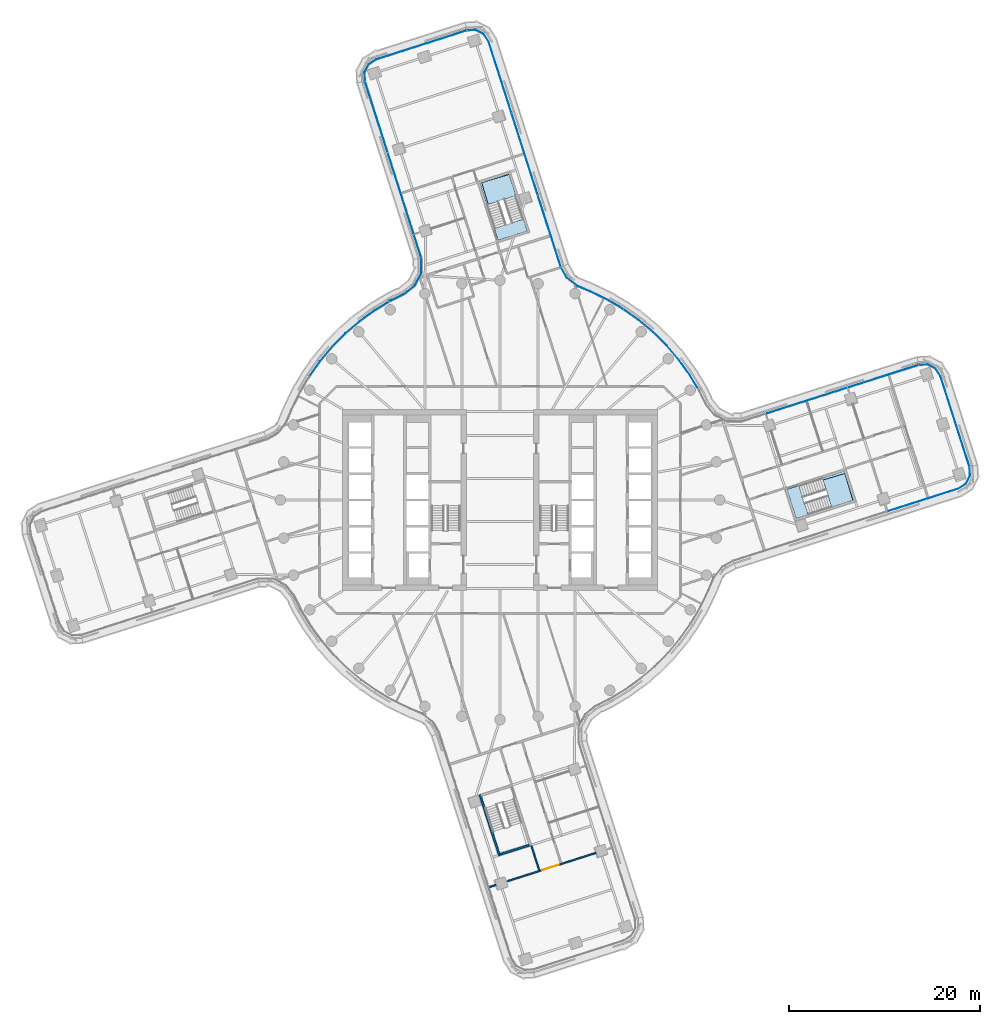
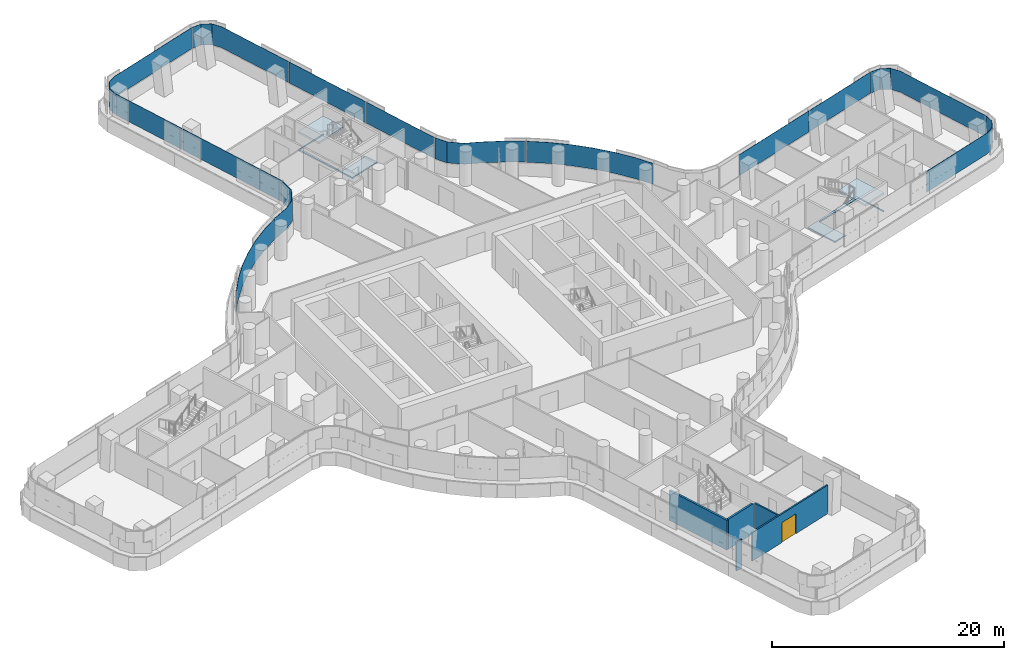
# One storey, part 17 of 30: 15 plates, 5 walls, 4 slabs, 1 door, 1 opening, 10 elements without a shape of their own.
"""IFC4 building model written with IfcOpenShell, lengths in metres."""

from ifc_helpers import new_model, si_unit, direction, frame, frame_2d, origin, place, context, subcontext, project, spatial, polyline, rectangle, outline, extrude, material, layer, layer_set, type_object, element, fill, aggregate, save


model = new_model("IFC4")

# Units and contexts
model_context = context("Model", 3, precision=1e-05, world=origin(), true_north=direction((0.0, 1.0)))
body_context = subcontext(model_context, "Body", "Model", "MODEL_VIEW")
ifc_project = project(units=[si_unit("LENGTHUNIT", "METRE"), si_unit("AREAUNIT", "SQUARE_METRE"), si_unit("VOLUMEUNIT", "CUBIC_METRE"), si_unit("PLANEANGLEUNIT", "RADIAN"), si_unit("MASSUNIT", "GRAM", prefix="KILO")], contexts=[model_context])

# Site, building, storey
site_placement = place(None, origin())
site = spatial("IfcSite", under=ifc_project, at=site_placement, CompositionType="ELEMENT")
building_placement = place(site_placement, origin())
building = spatial("IfcBuilding", under=site, at=building_placement, Name="Tamarind Cross Interchange Tower", CompositionType="ELEMENT")
storey_placement = place(building_placement, frame((0.0, 0.0, 98.5)))
storey = spatial("IfcBuildingStorey", under=building, at=storey_placement, Name="L23", CompositionType="ELEMENT", Elevation=98.5)

# Slabs
ifc_material_1 = material(Name="Concrete C35", Category="concrete")
ifc_layer_1 = layer(ifc_material_1, 0.139892578125)
ifc_layer_set_1 = layer_set([ifc_layer_1], Name="Concrete C35")
slab_type_1 = type_object("IfcSlabType", Name="Composite slab 140 Concrete C35", PredefinedType="FLOOR", material=ifc_layer_set_1)
slab_1_placement = place(storey_placement, frame((0.0, 0.0, -0.139892578125)))
element("IfcSlab", 1, at=slab_1_placement, inside=storey, type_object=slab_type_1, Name="Floor slab L23", PredefinedType="FLOOR", context=body_context, shape_type="SweptSolid", body=[
    extrude(outline(polyline([(0.93359375, 34.16455078125), (-2.114013671875, 33.1884765625), (-0.19189453125, 27.188720703125), (2.85546875, 28.164794921875), (2.48046875, 29.33544921875), (2.455078125, 29.414306640625), (-0.482421875, 28.473388671875), (-1.909423828125, 33.22509765625), (0.95849609375, 34.08642578125), (0.93359375, 34.16455078125)])), origin(), (0.0, 0.0, 1.0), 0.139892578125),
])
slab_2_placement = place(storey_placement, frame((0.0, 0.0, -0.139892578125)))
element("IfcSlab", 2, at=slab_2_placement, inside=storey, type_object=slab_type_1, Name="Floor slab L23", PredefinedType="FLOOR", context=body_context, shape_type="SweptSolid", body=[
    extrude(outline(polyline([(36.098388671875, 2.7724609375), (36.944091796875, -0.043212890625), (37.021484375, -0.018310546875), (36.04541015625, 3.029052734375), (30.0458984375, 1.107177734375), (31.02197265625, -1.940185546875), (32.271484375, -1.5400390625), (31.34716796875, 1.345458984375), (36.098388671875, 2.7724609375)])), origin(), (0.0, 0.0, 1.0), 0.139892578125),
])

# Stair, slab
ifc_material_2 = material(Name="Exit stair")
stair_type = type_object("IfcStairType", Name="Exit stair", PredefinedType="HALF_TURN_STAIR", material=ifc_material_2)
stair_1_placement = place(storey_placement, origin())
stair_1 = element("IfcStair", 3, at=stair_1_placement, inside=storey, type_object=stair_type, Name="L23 exit stair ST3", PredefinedType="HALF_TURN_STAIR")
ifc_material_3 = material(Name="Concrete C40", Category="concrete")
ifc_layer_2 = layer(ifc_material_3, 0.199951171875)
ifc_layer_set_2 = layer_set([ifc_layer_2], Name="Concrete C40")
slab_type_2 = type_object("IfcSlabType", Name="Stair landing", PredefinedType="LANDING", material=ifc_layer_set_2)
slab_3_placement = place(storey_placement, frame((0.0, 0.0, 1.675048828125)))
slab_3 = element("IfcSlab", 4, at=slab_3_placement, type_object=slab_type_2, Name="ST3 landing 1", PredefinedType="LANDING", context=body_context, shape_type="SweptSolid", body=[
    extrude(outline(polyline([(34.724609375, -0.754150390625), (37.021728515625, -0.018310546875), (36.04541015625, 3.029052734375), (33.74853515625, 2.293212890625), (34.724609375, -0.754150390625)])), origin(), (0.0, 0.0, 1.0), 0.199951171875),
])
aggregate(stair_1, [slab_3])

stair_2_placement = place(storey_placement, origin())
stair_2 = element("IfcStair", 5, at=stair_2_placement, inside=storey, type_object=stair_type, Name="L23 exit stair ST4", PredefinedType="HALF_TURN_STAIR")
slab_4_placement = place(storey_placement, frame((0.0, 0.0, 1.675048828125)))
slab_4 = element("IfcSlab", 6, at=slab_4_placement, type_object=slab_type_2, Name="ST4 landing 1", PredefinedType="LANDING", context=body_context, shape_type="SweptSolid", body=[
    extrude(outline(polyline([(1.66943359375, 31.86767578125), (0.93359375, 34.16455078125), (-2.11376953125, 33.1884765625), (-1.378173828125, 30.891357421875), (1.66943359375, 31.86767578125)])), origin(), (0.0, 0.0, 1.0), 0.199951171875),
])
aggregate(stair_2, [slab_4])

# Curtain wall, plate
ifc_material_4 = material(Name="Aluminium 6063-T6", Category="aluminium")
ifc_layer_3 = layer(ifc_material_4, 0.159912109375)
ifc_layer_set_3 = layer_set([ifc_layer_3], Name="Aluminium 6063-T6")
curtain_wall_type = type_object("IfcCurtainWallType", Name="Office curtain wall, 9.0 m bays", PredefinedType="NOTDEFINED", material=ifc_layer_set_3)
curtain_wall_1_placement = place(storey_placement, origin())
curtain_wall_1 = element("IfcCurtainWall", 7, at=curtain_wall_1_placement, inside=storey, type_object=curtain_wall_type, Name="CWS-L23-00", PredefinedType="NOTDEFINED")
ifc_material_5 = material(Name="Laminated low-e glass 8+1.52+8", Category="glass")
ifc_layer_4 = layer(ifc_material_5, 0.028076171875)
ifc_layer_set_4 = layer_set([ifc_layer_4], Name="Laminated low-e glass 8+1.52+8")
plate_type = type_object("IfcPlateType", Name="Vision panel CW1", PredefinedType="CURTAIN_PANEL", material=ifc_layer_set_4)
plate_1_placement = place(storey_placement, frame((0.0, 0.0, 1.39990234375)))
plate_1 = element("IfcPlate", 8, at=plate_1_placement, type_object=plate_type, Name="CWP-L23-00-00", PredefinedType="CURTAIN_PANEL", context=body_context, shape_type="SweptSolid", body=[
    extrude(outline(polyline([(49.14306640625, 3.50341796875), (46.1181640625, 12.9462890625), (45.604248046875, 13.7451171875), (44.78564453125, 14.166259765625), (43.864990234375, 14.1220703125), (43.86376953125, 14.14990234375), (44.791748046875, 14.19482421875), (45.623779296875, 13.7666015625), (46.143798828125, 12.95849609375), (49.169677734375, 3.511962890625), (49.14306640625, 3.50341796875)])), origin(), (0.0, 0.0, 1.0), 2.210205078125),
])
aggregate(curtain_wall_1, [plate_1])

# Curtain wall, plates
curtain_wall_2_placement = place(storey_placement, origin())
curtain_wall_2 = element("IfcCurtainWall", 9, at=curtain_wall_2_placement, inside=storey, type_object=curtain_wall_type, Name="CWS-L23-01", PredefinedType="NOTDEFINED")
plate_2_placement = place(storey_placement, frame((0.0, 0.0, 1.39990234375)))
plate_2 = element("IfcPlate", 10, at=plate_2_placement, type_object=plate_type, Name="CWP-L23-01-00", PredefinedType="CURTAIN_PANEL", context=body_context, shape_type="SweptSolid", body=[
    extrude(outline(polyline([(43.81005859375, 14.112060546875), (36.4033203125, 11.751220703125), (36.394775390625, 11.77783203125), (43.801513671875, 14.138671875), (43.81005859375, 14.112060546875)])), origin(), (0.0, 0.0, 1.0), 2.210205078125),
])
plate_3_placement = place(storey_placement, frame((0.0, 0.0, 1.39990234375)))
plate_3 = element("IfcPlate", 11, at=plate_3_placement, type_object=plate_type, Name="CWP-L23-01-01", PredefinedType="CURTAIN_PANEL", context=body_context, shape_type="SweptSolid", body=[
    extrude(outline(polyline([(36.34619140625, 11.733154296875), (27.826171875, 9.017333984375), (27.817626953125, 9.044189453125), (36.337646484375, 11.759765625), (36.34619140625, 11.733154296875)])), origin(), (0.0, 0.0, 1.0), 2.210205078125),
])
aggregate(curtain_wall_2, [plate_2, plate_3])

curtain_wall_3_placement = place(storey_placement, origin())
curtain_wall_3 = element("IfcCurtainWall", 12, at=curtain_wall_3_placement, inside=storey, type_object=curtain_wall_type, Name="CWS-L23-02", PredefinedType="NOTDEFINED")
plate_4_placement = place(storey_placement, frame((0.0, 0.0, 1.39990234375)))
plate_4 = element("IfcPlate", 13, at=plate_4_placement, type_object=plate_type, Name="CWP-L23-02-01", PredefinedType="CURTAIN_PANEL", context=body_context, shape_type="SweptSolid", body=[
    extrude(outline(polyline([(20.735595703125, 11.62646484375), (19.85302734375, 13.093017578125), (18.7041015625, 14.687744140625), (17.42724609375, 16.18212890625), (16.031494140625, 17.56591796875), (14.526123046875, 18.829833984375), (12.95849609375, 19.93896484375), (12.974609375, 19.9619140625), (14.543212890625, 18.85205078125), (16.05029296875, 17.586669921875), (17.44775390625, 16.201171875), (18.72607421875, 14.705078125), (19.87646484375, 13.1083984375), (20.759521484375, 11.640869140625), (20.735595703125, 11.62646484375)])), origin(), (0.0, 0.0, 1.0), 2.210205078125),
])
plate_5_placement = place(storey_placement, frame((0.0, 0.0, 1.39990234375)))
plate_5 = element("IfcPlate", 14, at=plate_5_placement, type_object=plate_type, Name="CWP-L23-02-02", PredefinedType="CURTAIN_PANEL", context=body_context, shape_type="SweptSolid", body=[
    extrude(outline(polyline([(12.909912109375, 19.971923828125), (11.228759765625, 20.9638671875), (9.45703125, 21.820556640625), (8.1611328125, 22.35302734375), (6.987548828125, 23.267822265625), (6.379638671875, 24.349853515625), (6.404052734375, 24.363525390625), (7.00927734375, 23.286376953125), (8.17529296875, 22.37744140625), (9.468505859375, 21.84619140625), (11.241943359375, 20.98876953125), (12.924072265625, 19.99609375), (12.909912109375, 19.971923828125)])), origin(), (0.0, 0.0, 1.0), 2.210205078125),
])
aggregate(curtain_wall_3, [plate_4, plate_5])

curtain_wall_4_placement = place(storey_placement, origin())
curtain_wall_4 = element("IfcCurtainWall", 15, at=curtain_wall_4_placement, inside=storey, type_object=curtain_wall_type, Name="CWS-L23-03", PredefinedType="NOTDEFINED")
plate_6_placement = place(storey_placement, frame((0.0, 0.0, 1.39990234375)))
plate_6 = element("IfcPlate", 16, at=plate_6_placement, type_object=plate_type, Name="CWP-L23-03-00", PredefinedType="CURTAIN_PANEL", context=body_context, shape_type="SweptSolid", body=[
    extrude(outline(polyline([(6.3544921875, 24.406982421875), (3.946533203125, 31.9248046875), (3.97314453125, 31.933349609375), (6.38134765625, 24.41552734375), (6.3544921875, 24.406982421875)])), origin(), (0.0, 0.0, 1.0), 2.210205078125),
])
plate_7_placement = place(storey_placement, frame((0.0, 0.0, 1.39990234375)))
plate_7 = element("IfcPlate", 17, at=plate_7_placement, type_object=plate_type, Name="CWP-L23-03-01", PredefinedType="CURTAIN_PANEL", context=body_context, shape_type="SweptSolid", body=[
    extrude(outline(polyline([(3.92822265625, 31.98193359375), (1.20166015625, 40.49365234375), (1.228271484375, 40.502197265625), (3.954833984375, 31.990478515625), (3.92822265625, 31.98193359375)])), origin(), (0.0, 0.0, 1.0), 2.210205078125),
])
plate_8_placement = place(storey_placement, frame((0.0, 0.0, 1.39990234375)))
plate_8 = element("IfcPlate", 18, at=plate_8_placement, type_object=plate_type, Name="CWP-L23-03-02", PredefinedType="CURTAIN_PANEL", context=body_context, shape_type="SweptSolid", body=[
    extrude(outline(polyline([(1.183349609375, 40.55078125), (-1.195556640625, 47.977294921875), (-1.70947265625, 48.77587890625), (-2.528076171875, 49.197265625), (-3.448486328125, 49.15283203125), (-3.449951171875, 49.180908203125), (-2.52197265625, 49.2255859375), (-1.68994140625, 48.79736328125), (-1.169921875, 47.9892578125), (1.2099609375, 40.559326171875), (1.183349609375, 40.55078125)])), origin(), (0.0, 0.0, 1.0), 2.210205078125),
])
aggregate(curtain_wall_4, [plate_6, plate_7, plate_8])

# Curtain wall, plate
curtain_wall_5_placement = place(storey_placement, origin())
curtain_wall_5 = element("IfcCurtainWall", 19, at=curtain_wall_5_placement, inside=storey, type_object=curtain_wall_type, Name="CWS-L23-04", PredefinedType="NOTDEFINED")
plate_9_placement = place(storey_placement, frame((0.0, 0.0, 1.39990234375)))
plate_9 = element("IfcPlate", 20, at=plate_9_placement, type_object=plate_type, Name="CWP-L23-04-00", PredefinedType="CURTAIN_PANEL", context=body_context, shape_type="SweptSolid", body=[
    extrude(outline(polyline([(-3.50341796875, 49.14306640625), (-12.9462890625, 46.1181640625), (-13.7451171875, 45.604248046875), (-14.166259765625, 44.78564453125), (-14.1220703125, 43.864990234375), (-14.14990234375, 43.86376953125), (-14.19482421875, 44.791748046875), (-13.7666015625, 45.623779296875), (-12.95849609375, 46.143798828125), (-3.511962890625, 49.169677734375), (-3.50341796875, 49.14306640625)])), origin(), (0.0, 0.0, 1.0), 2.210205078125),
])
aggregate(curtain_wall_5, [plate_9])

# Curtain wall, plates
curtain_wall_6_placement = place(storey_placement, origin())
curtain_wall_6 = element("IfcCurtainWall", 21, at=curtain_wall_6_placement, inside=storey, type_object=curtain_wall_type, Name="CWS-L23-05", PredefinedType="NOTDEFINED")
plate_10_placement = place(storey_placement, frame((0.0, 0.0, 1.39990234375)))
plate_10 = element("IfcPlate", 22, at=plate_10_placement, type_object=plate_type, Name="CWP-L23-05-00", PredefinedType="CURTAIN_PANEL", context=body_context, shape_type="SweptSolid", body=[
    extrude(outline(polyline([(-14.112060546875, 43.81005859375), (-11.751220703125, 36.4033203125), (-11.77783203125, 36.394775390625), (-14.138671875, 43.801513671875), (-14.112060546875, 43.81005859375)])), origin(), (0.0, 0.0, 1.0), 2.210205078125),
])
plate_11_placement = place(storey_placement, frame((0.0, 0.0, 1.39990234375)))
plate_11 = element("IfcPlate", 23, at=plate_11_placement, type_object=plate_type, Name="CWP-L23-05-01", PredefinedType="CURTAIN_PANEL", context=body_context, shape_type="SweptSolid", body=[
    extrude(outline(polyline([(-11.733154296875, 36.34619140625), (-9.017333984375, 27.826171875), (-9.044189453125, 27.817626953125), (-11.759765625, 36.337646484375), (-11.733154296875, 36.34619140625)])), origin(), (0.0, 0.0, 1.0), 2.210205078125),
])
plate_12_placement = place(storey_placement, frame((0.0, 0.0, 1.39990234375)))
plate_12 = element("IfcPlate", 24, at=plate_12_placement, type_object=plate_type, Name="CWP-L23-05-02", PredefinedType="CURTAIN_PANEL", context=body_context, shape_type="SweptSolid", body=[
    extrude(outline(polyline([(-8.999267578125, 27.76904296875), (-8.233154296875, 25.36572265625), (-8.259765625, 25.357177734375), (-9.02587890625, 27.760498046875), (-8.999267578125, 27.76904296875)])), origin(), (0.0, 0.0, 1.0), 2.210205078125),
])
aggregate(curtain_wall_6, [plate_10, plate_11, plate_12])

curtain_wall_7_placement = place(storey_placement, origin())
curtain_wall_7 = element("IfcCurtainWall", 25, at=curtain_wall_7_placement, inside=storey, type_object=curtain_wall_type, Name="CWS-L23-06", PredefinedType="NOTDEFINED")
plate_13_placement = place(storey_placement, frame((0.0, 0.0, 1.39990234375)))
plate_13 = element("IfcPlate", 26, at=plate_13_placement, type_object=plate_type, Name="CWP-L23-06-00", PredefinedType="CURTAIN_PANEL", context=body_context, shape_type="SweptSolid", body=[
    extrude(outline(polyline([(-8.223388671875, 25.302734375), (-8.2236328125, 23.739013671875), (-8.913330078125, 22.419921875), (-9.97705078125, 21.576171875), (-11.40869140625, 20.86669921875), (-11.5751953125, 20.766357421875), (-11.589599609375, 20.79052734375), (-11.422119140625, 20.89111328125), (-9.9921875, 21.599853515625), (-8.935302734375, 22.438232421875), (-8.251708984375, 23.74609375), (-8.25146484375, 25.302734375), (-8.223388671875, 25.302734375)])), origin(), (0.0, 0.0, 1.0), 2.210205078125),
])
plate_14_placement = place(storey_placement, frame((0.0, 0.0, 1.39990234375)))
plate_14 = element("IfcPlate", 27, at=plate_14_placement, type_object=plate_type, Name="CWP-L23-06-01", PredefinedType="CURTAIN_PANEL", context=body_context, shape_type="SweptSolid", body=[
    extrude(outline(polyline([(-11.62646484375, 20.735595703125), (-13.093017578125, 19.85302734375), (-14.687744140625, 18.7041015625), (-16.18212890625, 17.42724609375), (-17.56591796875, 16.031494140625), (-18.829833984375, 14.526123046875), (-19.93896484375, 12.95849609375), (-19.9619140625, 12.974609375), (-18.85205078125, 14.543212890625), (-17.586669921875, 16.05029296875), (-16.201171875, 17.44775390625), (-14.705078125, 18.72607421875), (-13.1083984375, 19.87646484375), (-11.640869140625, 20.759521484375), (-11.62646484375, 20.735595703125)])), origin(), (0.0, 0.0, 1.0), 2.210205078125),
])
aggregate(curtain_wall_7, [plate_13, plate_14])

# Curtain wall, plate
curtain_wall_8_placement = place(storey_placement, origin())
curtain_wall_8 = element("IfcCurtainWall", 28, at=curtain_wall_8_placement, inside=storey, type_object=curtain_wall_type, Name="CWS-L23-15", PredefinedType="NOTDEFINED")
plate_15_placement = place(storey_placement, frame((0.0, 0.0, 1.39990234375)))
plate_15 = element("IfcPlate", 29, at=plate_15_placement, type_object=plate_type, Name="CWP-L23-15-02", PredefinedType="CURTAIN_PANEL", context=body_context, shape_type="SweptSolid", body=[
    extrude(outline(polyline([(40.55078125, -1.183349609375), (47.977294921875, 1.195556640625), (48.77587890625, 1.70947265625), (49.197265625, 2.528076171875), (49.15283203125, 3.448486328125), (49.180908203125, 3.449951171875), (49.2255859375, 2.52197265625), (48.79736328125, 1.68994140625), (47.9892578125, 1.169921875), (40.559326171875, -1.2099609375), (40.55078125, -1.183349609375)])), origin(), (0.0, 0.0, 1.0), 2.210205078125),
])
aggregate(curtain_wall_8, [plate_15])

# Walls
ifc_material_6 = material(Name="Gypsum board partition on steel studs", Category="steel")
ifc_layer_5 = layer(ifc_material_6, 0.14990234375)
ifc_layer_set_5 = layer_set([ifc_layer_5], Name="Gypsum board partition on steel studs")
wall_type_1 = type_object("IfcWallType", Name="Partition 150 mm EI 120", PredefinedType="PARTITIONING", material=ifc_layer_set_5)
wall_1_placement = place(storey_placement, frame((3.2939453125, -36.212158203125, 0.0), z_axis=(0.0, 0.0, 1.0), x_axis=(0.3052408817, -0.952275172489, 0.0)))
element("IfcWall", 30, at=wall_1_placement, inside=storey, type_object=wall_type_1, Name="Partition L23-018", PredefinedType="PARTITIONING", context=body_context, shape_type="SweptSolid", body=[
    extrude(rectangle(XDim=2.68505859375, YDim=0.14990234375, at=frame_2d((1.342529296875, 0.0))), origin(), (0.0, 0.0, 1.0), 3.010009765625),
])
wall_2_placement = place(storey_placement, frame((-1.102294921875, -40.518798828125, 0.0), z_axis=(0.0, 0.0, 1.0), x_axis=(0.952356406375, 0.304987336191, 0.0)))
element("IfcWall", 31, at=wall_2_placement, inside=storey, type_object=wall_type_1, Name="Partition L23-061", PredefinedType="PARTITIONING", context=body_context, shape_type="SweptSolid", body=[
    extrude(rectangle(XDim=0.711669921875, YDim=0.14990234375, at=frame_2d((0.35595703125, 0.0))), origin(), (0.0, 0.0, 1.0), 3.010009765625),
])

# Wall, opening, door
wall_3_placement = place(storey_placement, frame((0.8095703125, -39.906494140625, 0.0), z_axis=(0.0, 0.0, 1.0), x_axis=(0.952335835853, 0.305051562445, 0.0)))
wall_3 = element("IfcWall", 32, at=wall_3_placement, inside=storey, type_object=wall_type_1, Name="Partition L23-062", PredefinedType="PARTITIONING", context=body_context, shape_type="SweptSolid", body=[
    extrude(rectangle(XDim=9.6982421875, YDim=0.14990234375, at=frame_2d((4.84912109375, 0.0))), origin(), (0.0, 0.0, 1.0), 3.010009765625),
])
opening_placement = place(wall_3_placement, frame((3.7919921875, 0.0, 0.0)))
opening = element("IfcOpeningElement", 33, at=opening_placement, cuts=wall_3, Name="Opening D33", PredefinedType="OPENING", context=body_context, shape_type="SweptSolid", body=[
    extrude(rectangle(XDim=1.800048828125, YDim=2.10009765625, at=frame_2d((0.89990234375, 1.050048828125))), frame((0.0, 0.0849609375, 0.0), z_axis=(0.0, -1.0, 0.0), x_axis=(1.0, 0.0, 0.0)), (0.0, 0.0, 1.0), 0.169921875),
])
ifc_material_7 = material(Name="Fire-resisting door set")
door_type = type_object("IfcDoorType", Name="Interior door 1800 x 2100 FD60S", OperationType="DOUBLE_DOOR_SINGLE_SWING", PredefinedType="DOOR", material=ifc_material_7)
door_placement = place(opening_placement, origin())
door = element("IfcDoor", 34, at=door_placement, inside=storey, type_object=door_type, Name="Door D33", OperationType="DOUBLE_DOOR_SINGLE_SWING", OverallHeight=2.10009765625, OverallWidth=1.800048828125, PredefinedType="DOOR", context=body_context, shape_type="SweptSolid", body=[
    extrude(rectangle(XDim=1.800048828125, YDim=2.10009765625, at=frame_2d((0.89990234375, 1.050048828125))), frame((0.0, 0.02490234375, 0.0), z_axis=(0.0, -1.0, 0.0), x_axis=(1.0, 0.0, 0.0)), (0.0, 0.0, 1.0), 0.050048828125),
])
fill(opening, door)

# Walls
ifc_layer_6 = layer(ifc_material_3, 0.199951171875)
ifc_layer_set_6 = layer_set([ifc_layer_6], Name="Concrete C40")
wall_type_2 = type_object("IfcWallType", Name="Stair shaft wall 200 mm Concrete C40", PredefinedType="SHEAR", material=ifc_layer_set_6)
wall_4_placement = place(storey_placement, frame((-2.096435546875, -30.862060546875, -0.139892578125), z_axis=(0.0, 0.0, 1.0), x_axis=(0.305066589564, -0.952331022246, 0.0)))
element("IfcWall", 35, at=wall_4_placement, inside=storey, type_object=wall_type_2, Name="Core wall CWL-L23-ST6-C", PredefinedType="SHEAR", context=body_context, shape_type="SweptSolid", body=[
    extrude(rectangle(XDim=6.699951171875, YDim=0.199951171875, at=frame_2d((3.35009765625, 0.0))), origin(), (0.0, 0.0, 1.0), 3.14990234375),
])
wall_5_placement = place(storey_placement, frame((0.0, 0.0, -0.139892578125)))
element("IfcWall", 36, at=wall_5_placement, inside=storey, type_object=wall_type_2, Name="Core wall CWL-L23-ST6-CF", PredefinedType="SHEAR", context=body_context, shape_type="SweptSolid", body=[
    extrude(outline(polyline([(-0.018310546875, -37.021484375), (0.04248046875, -37.212158203125), (3.090087890625, -36.23583984375), (3.029052734375, -36.04541015625), (-0.018310546875, -37.021484375)])), origin(), (0.0, 0.0, 1.0), 3.14990234375),
])

save(model, "model.ifc")
